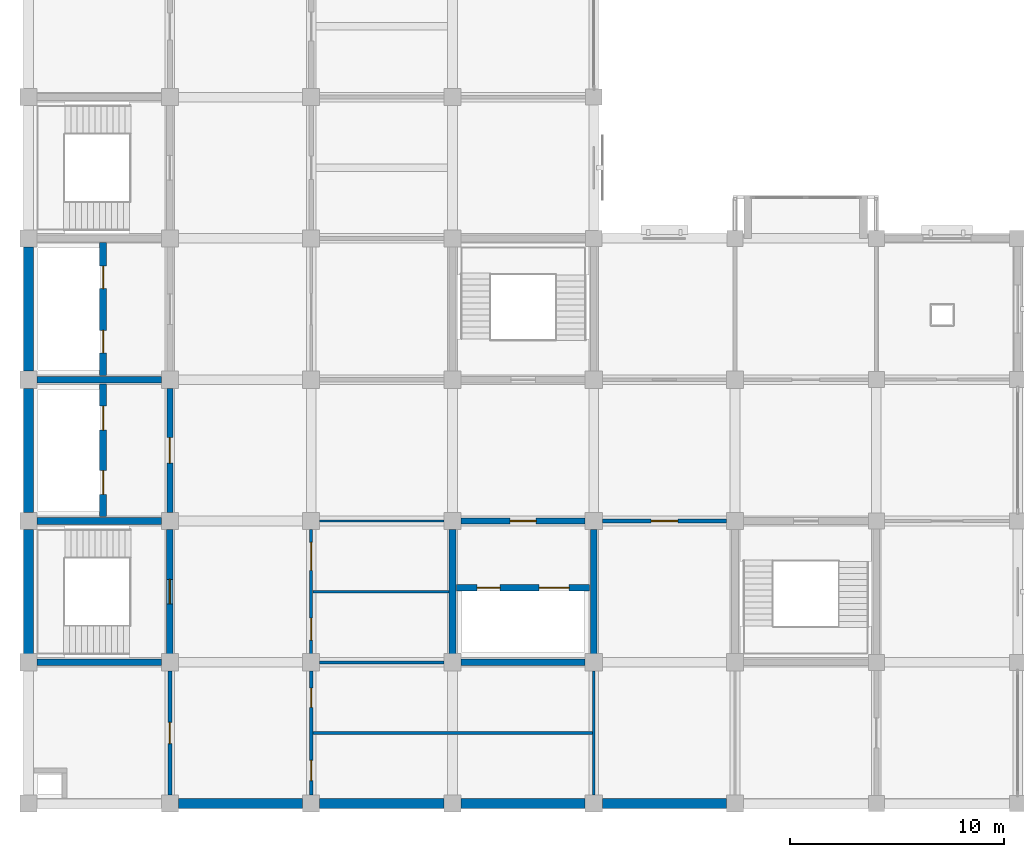
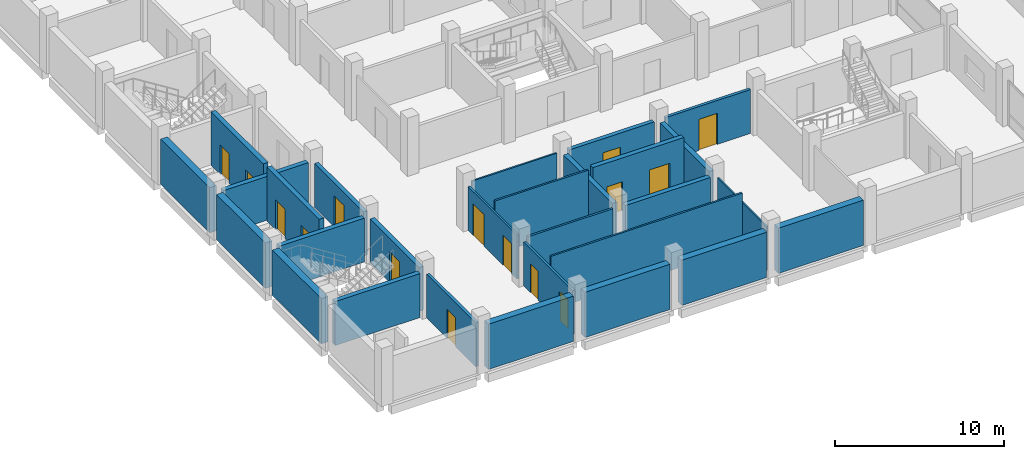
# One storey, part 8 of 15: 28 walls, 15 doors, 15 openings.
"""IFC4 building model written with IfcOpenShell, lengths in metres."""

import ifcopenshell
import ifcopenshell.guid

model = None  # the IFC model being written
_history = None  # IfcOwnerHistory: only IFC2X3 demands one
_inside = {}  # id of a spatial element -> (the spatial element, [elements in it])
_under = {}  # id of a project, library or spatial element -> (it, [spatial elements below it])
_declared = {}  # id of a project -> (the project, [libraries it declares])
_typed = {}  # id of a type object -> (the type object, [elements of that type])
_made_of = {}  # id of a material, layer set ... -> (it, [elements and type objects made of it])


def new_model(schema):
    """Start an empty IFC model of exactly this schema.

    Asked for "IFC4X3", IfcOpenShell would pick the latest addendum, in which some entities
    have other attributes; the version numbers below select the first issue.
    IFC2X3 requires an IfcOwnerHistory on every rooted entity: one is made here for all.
    """
    global model, _history
    if schema == "IFC4X3":
        model = ifcopenshell.file(schema_version=(4, 3, 0, 0))
    else:
        model = ifcopenshell.file(schema=schema)
    _inside.clear()
    _under.clear()
    _declared.clear()
    _typed.clear()
    _made_of.clear()
    _history = None
    if model.schema == "IFC2X3":
        org = make("IfcOrganization", Name="unknown")
        user = make(
            "IfcPersonAndOrganization",
            ThePerson=make("IfcPerson", FamilyName="unknown"),
            TheOrganization=org,
        )
        app = make(
            "IfcApplication",
            ApplicationDeveloper=org,
            Version="unknown",
            ApplicationFullName="unknown",
            ApplicationIdentifier="unknown",
        )
        _history = make(
            "IfcOwnerHistory",
            OwningUser=user,
            OwningApplication=app,
            ChangeAction="ADDED",
            CreationDate=0,
        )
    return model


def make(cls, **values):
    """One entity of the class cls with the attributes given. An attribute that is None is left unset."""
    return model.create_entity(
        cls, **{name: value for name, value in values.items() if value is not None}
    )


def rooted(cls, **values):
    """An entity with a GlobalId (a new one), such as an element, a storey or a relation."""
    return make(cls, GlobalId=ifcopenshell.guid.new(), OwnerHistory=_history, **values)


def si_unit(unit_type, name, prefix=None):
    """IfcSIUnit, for example si_unit("LENGTHUNIT", "METRE", prefix="MILLI")."""
    return make("IfcSIUnit", UnitType=unit_type, Prefix=prefix, Name=name)


def assignment(units):
    """IfcUnitAssignment: the units of a project."""
    return None if units is None else make("IfcUnitAssignment", Units=units)


def point(xyz):
    """IfcCartesianPoint."""
    return None if xyz is None else make("IfcCartesianPoint", Coordinates=xyz)


def direction(xyz):
    """IfcDirection."""
    return None if xyz is None else make("IfcDirection", DirectionRatios=xyz)


def frame(location, z_axis=None, x_axis=None):
    """IfcAxis2Placement3D, a coordinate frame: its origin and axes. An axis left out is left unset."""
    return make(
        "IfcAxis2Placement3D",
        Location=point(location),
        Axis=direction(z_axis),
        RefDirection=direction(x_axis),
    )


def frame_2d(location, x_axis=None):
    """IfcAxis2Placement2D, a coordinate frame in the plane: its origin and x axis."""
    return make(
        "IfcAxis2Placement2D", Location=point(location), RefDirection=direction(x_axis)
    )


def origin():
    """The frame at (0, 0, 0) with its axes left unset."""
    return frame((0.0, 0.0, 0.0))


def place(relative_to, where):
    """IfcLocalPlacement: puts the frame where relative to a parent placement (None: the world)."""
    return make(
        "IfcLocalPlacement", PlacementRelTo=relative_to, RelativePlacement=where
    )


def context(
    kind, dimensions, precision=None, world=None, true_north=None, identifier=None
):
    """IfcGeometricRepresentationContext, for example the 3D "Model" context."""
    return make(
        "IfcGeometricRepresentationContext",
        ContextIdentifier=identifier,
        ContextType=kind,
        CoordinateSpaceDimension=dimensions,
        Precision=precision,
        WorldCoordinateSystem=world,
        TrueNorth=true_north,
    )


def subcontext(parent, identifier, kind, view, scale=None):
    """IfcGeometricRepresentationSubContext, for example "Body" below "Model"."""
    return make(
        "IfcGeometricRepresentationSubContext",
        ContextIdentifier=identifier,
        ContextType=kind,
        ParentContext=parent,
        TargetScale=scale,
        TargetView=view,
    )


def project(units=None, contexts=None):
    """IfcProject with its units and contexts."""
    return rooted(
        "IfcProject",
        Name="project",
        RepresentationContexts=contexts,
        UnitsInContext=assignment(units),
    )


def spatial(cls, under=None, at=None, **own):
    """A site, building, storey or space (cls), placed at a placement, below another one or the project."""
    s = rooted(cls, ObjectPlacement=at, **own)
    if under is not None:
        _under.setdefault(under.id(), (under, []))[1].append(s)
    return s


def profile(cls, at=None, kind="AREA", **sizes):
    """A parametric profile (cls). Its sizes go by their IFC names, for example OverallWidth=200.0."""
    return make(cls, ProfileType=kind, Position=at, **sizes)


def rectangle(**sizes):
    """IfcRectangleProfileDef."""
    return profile("IfcRectangleProfileDef", **sizes)


def extrude(swept, where, along, depth):
    """IfcExtrudedAreaSolid: the profile swept, set in the frame where, extruded along a direction by depth."""
    return make(
        "IfcExtrudedAreaSolid",
        SweptArea=swept,
        Position=where,
        ExtrudedDirection=direction(along),
        Depth=depth,
    )


def shape(context_of_items, identifier, shape_type, items):
    """IfcShapeRepresentation: the items that make up one representation, for example the "Body"."""
    return make(
        "IfcShapeRepresentation",
        ContextOfItems=context_of_items,
        RepresentationIdentifier=identifier,
        RepresentationType=shape_type,
        Items=items,
    )


def material(Name=None, Category=None):
    """IfcMaterial."""
    return make("IfcMaterial", Name=Name, Category=Category)


def layer(
    of_material, thickness, ventilated=None, Name=None, Category=None, Priority=None
):
    """IfcMaterialLayer: one layer of a wall or slab, of a material (None: an air gap)."""
    return make(
        "IfcMaterialLayer",
        Material=of_material,
        LayerThickness=thickness,
        IsVentilated=ventilated,
        Name=Name,
        Category=Category,
        Priority=Priority,
    )


def layer_set(layers, Name=None):
    """IfcMaterialLayerSet."""
    return make("IfcMaterialLayerSet", MaterialLayers=layers, LayerSetName=Name)


def made_of(thing, what):
    """Note that an element or type object is made of a material, layer set ...; save() writes the relation."""
    if what is not None:
        _made_of.setdefault(what.id(), (what, []))[1].append(thing)
    return thing


def type_object(cls, material=None, **own):
    """A type object (cls), such as IfcWallType, which elements share."""
    return made_of(rooted(cls, **own), material)


def element(
    cls,
    number,
    at=None,
    inside=None,
    cuts=None,
    type_object=None,
    material=None,
    context=None,
    identifier="Body",
    shape_type=None,
    held_by="IfcProductDefinitionShape",
    body=None,
    shapes=None,
    **own,
):
    """One element of the class cls, such as IfcWall. Its Tag is "e" and its number.

    at: its placement. inside: the storey or other place that contains it. cuts: it is an
    opening in that element (IfcRelVoidsElement). A single representation is given by context,
    identifier, shape_type and body (its items); several are given by shapes. held_by: the class
    of the entity that holds the representations. save() writes the other relations.
    """
    e = rooted(cls, Tag="e%d" % number, ObjectPlacement=at, **own)
    if body is not None:
        shapes = [shape(context, identifier, shape_type, body)]
    if shapes is not None:
        e.Representation = make(held_by, Representations=shapes)
    if inside is not None:
        _inside.setdefault(inside.id(), (inside, []))[1].append(e)
    if cuts is not None:
        rooted(
            "IfcRelVoidsElement", RelatingBuildingElement=cuts, RelatedOpeningElement=e
        )
    if type_object is not None:
        _typed.setdefault(type_object.id(), (type_object, []))[1].append(e)
    return made_of(e, material)


def fill(opening, filler):
    """IfcRelFillsElement: the door or window that sits in an opening."""
    return rooted(
        "IfcRelFillsElement",
        RelatingOpeningElement=opening,
        RelatedBuildingElement=filler,
    )


def aggregate(whole, parts):
    """IfcRelAggregates: a whole, such as a stair, and the parts it consists of."""
    return rooted("IfcRelAggregates", RelatingObject=whole, RelatedObjects=parts)


def save(model, path):
    """Write the relations noted so far, then the file.

    IfcRelAggregates (storeys below a building ...), IfcRelContainedInSpatialStructure (elements
    in a storey), IfcRelDefinesByType, IfcRelAssociatesMaterial and IfcRelDeclares: one each for
    every whole, place, type object, material and project.
    """
    for whole, parts in _under.values():
        aggregate(whole, parts)
    for where, things in _inside.values():
        rooted(
            "IfcRelContainedInSpatialStructure",
            RelatedElements=things,
            RelatingStructure=where,
        )
    for kind, things in _typed.values():
        rooted("IfcRelDefinesByType", RelatedObjects=things, RelatingType=kind)
    for what, things in _made_of.values():
        rooted("IfcRelAssociatesMaterial", RelatedObjects=things, RelatingMaterial=what)
    for by, libraries in _declared.values():
        rooted("IfcRelDeclares", RelatingContext=by, RelatedDefinitions=libraries)
    model.write(path)


model = new_model("IFC4")

# Units and contexts
model_context = context("Model", 3, precision=1e-05, world=origin(), true_north=direction((0.0, 1.0)))
body_context = subcontext(model_context, "Body", "Model", "MODEL_VIEW")
ifc_project = project(units=[si_unit("LENGTHUNIT", "METRE"), si_unit("AREAUNIT", "SQUARE_METRE"), si_unit("VOLUMEUNIT", "CUBIC_METRE"), si_unit("PLANEANGLEUNIT", "RADIAN"), si_unit("MASSUNIT", "GRAM", prefix="KILO")], contexts=[model_context])

# Site, building, storey
site_placement = place(None, origin())
site = spatial("IfcSite", under=ifc_project, at=site_placement, CompositionType="ELEMENT")
building_placement = place(site_placement, origin())
building = spatial("IfcBuilding", under=site, at=building_placement, Name="Rusizi Kubbe Research Institute", CompositionType="ELEMENT")
storey_placement = place(building_placement, frame((0.0, 0.0, 27.0)))
storey = spatial("IfcBuildingStorey", under=building, at=storey_placement, Name="L06", CompositionType="ELEMENT", Elevation=27.0)

# Walls
ifc_material_1 = material(Name="Concrete C45/55", Category="concrete")
ifc_layer_1 = layer(ifc_material_1, 0.31494140625)
ifc_layer_set_1 = layer_set([ifc_layer_1], Name="Concrete C45/55")
wall_type_1 = type_object("IfcWallType", Name="CRW-02", PredefinedType="SHEAR", material=ifc_layer_set_1)
for number, where, z_axis, x_axis, name in (
    (1, (0.39990234375, 6.60009765625, 0.0), (0.0, 0.0, 1.0), (1.0, 0.0, 0.0), "Stair Core Shear Wall ST1 L06 S"),
    (2, (0.39990234375, 13.199951171875, 0.0), (0.0, 0.0, 1.0), (1.0, 0.0, 0.0), "Stair Core Shear Wall ST1 L06 N"),
):
    element("IfcWall", number, at=place(storey_placement, frame(where, z_axis=z_axis, x_axis=x_axis)), inside=storey, type_object=wall_type_1, Name=name, PredefinedType="SHEAR", context=body_context, shape_type="SweptSolid", body=[
        extrude(rectangle(XDim=5.800048828125, YDim=0.31494140625, at=frame_2d((2.89990234375, 0.0))), origin(), (0.0, 0.0, 1.0), 3.169921875),
    ])

# Wall, opening, door
wall_1_placement = place(storey_placement, frame((6.60009765625, 7.0, 0.0), z_axis=(0.0, 0.0, 1.0), x_axis=(0.0, 1.0, 0.0)))
wall_1 = element("IfcWall", 3, at=wall_1_placement, inside=storey, type_object=wall_type_1, Name="Stair Core Shear Wall ST1 L06 E", PredefinedType="SHEAR", context=body_context, shape_type="SweptSolid", body=[
    extrude(rectangle(XDim=5.800048828125, YDim=0.31494140625, at=frame_2d((2.89990234375, 0.0))), origin(), (0.0, 0.0, 1.0), 3.169921875),
])
opening_1_placement = place(wall_1_placement, frame((2.324951171875, 0.0, 0.0)))
opening_1 = element("IfcOpeningElement", 4, at=opening_1_placement, cuts=wall_1, Name="Opening D-02", PredefinedType="OPENING", context=body_context, shape_type="SweptSolid", body=[
    extrude(rectangle(XDim=1.14990234375, YDim=2.199951171875, at=frame_2d((0.574951171875, 1.10009765625))), frame((0.0, 0.16748046875, 0.0), z_axis=(0.0, -1.0, 0.0), x_axis=(1.0, 0.0, 0.0)), (0.0, 0.0, 1.0), 0.3349609375),
])
ifc_material_2 = material(Name="Fire-Rated Steel Frame and Acoustic Timber Leaf", Category="wood")
door_type_1 = type_object("IfcDoorType", Name="ID-STAIR-115", OperationType="NOTDEFINED", PredefinedType="DOOR", material=ifc_material_2)
door_1_placement = place(opening_1_placement, origin())
door_1 = element("IfcDoor", 5, at=door_1_placement, inside=storey, type_object=door_type_1, Name="Exit Stair Door ST1 L06", OperationType="SINGLE_SWING_RIGHT", OverallHeight=2.199951171875, OverallWidth=1.14990234375, PredefinedType="DOOR", context=body_context, shape_type="SweptSolid", body=[
    extrude(rectangle(XDim=1.14990234375, YDim=2.199951171875, at=frame_2d((0.574951171875, 1.10009765625))), frame((0.0, 0.02490234375, 0.0), z_axis=(0.0, -1.0, 0.0), x_axis=(1.0, 0.0, 0.0)), (0.0, 0.0, 1.0), 0.050048828125),
])
fill(opening_1, door_1)

# Walls
for number, where, z_axis, x_axis, name in (
    (6, (0.39990234375, 19.800048828125, 0.0), (0.0, 0.0, 1.0), (1.0, 0.0, 0.0), "Lift Core Divider Wall (0,2-3) L06"),
    (7, (20.199951171875, 6.60009765625, 0.0), (0.0, 0.0, 1.0), (1.0, 0.0, 0.0), "Lab Lift Core Wall S (3,1) L06"),
    (8, (19.800048828125, 7.0, 0.0), (0.0, 0.0, 1.0), (0.0, 1.0, 0.0), "Lab Lift Core Wall W (3,1) L06"),
    (9, (26.39990234375, 7.0, 0.0), (0.0, 0.0, 1.0), (0.0, 1.0, 0.0), "Lab Lift Core Wall E (3,1) L06"),
):
    element("IfcWall", number, at=place(storey_placement, frame(where, z_axis=z_axis, x_axis=x_axis)), inside=storey, type_object=wall_type_1, Name=name, PredefinedType="SHEAR", context=body_context, shape_type="SweptSolid", body=[
        extrude(rectangle(XDim=5.800048828125, YDim=0.31494140625, at=frame_2d((2.89990234375, 0.0))), origin(), (0.0, 0.0, 1.0), 3.169921875),
    ])

# Wall, openings, doors
wall_2_placement = place(storey_placement, frame((3.47998046875, 13.39990234375, 0.0), z_axis=(0.0, 0.0, 1.0), x_axis=(0.0, 1.0, 0.0)))
wall_2 = element("IfcWall", 10, at=wall_2_placement, inside=storey, type_object=wall_type_1, Name="Firefighting Lift Shaft Front Wall L06", PredefinedType="SHEAR", context=body_context, shape_type="SweptSolid", body=[
    extrude(rectangle(XDim=6.2001953125, YDim=0.31494140625, at=frame_2d((3.10009765625, 0.0))), origin(), (0.0, 0.0, 1.0), 3.8701171875),
])
opening_2_placement = place(wall_2_placement, frame((1.050048828125, 0.0, 0.0)))
opening_2 = element("IfcOpeningElement", 11, at=opening_2_placement, cuts=wall_2, Name="Opening LD-01", PredefinedType="OPENING", context=body_context, shape_type="SweptSolid", body=[
    extrude(rectangle(XDim=1.10009765625, YDim=2.14990234375, at=frame_2d((0.550048828125, 1.074951171875))), frame((0.0, 0.16748046875, 0.0), z_axis=(0.0, -1.0, 0.0), x_axis=(1.0, 0.0, 0.0)), (0.0, 0.0, 1.0), 0.3349609375),
])
opening_3_placement = place(wall_2_placement, frame((4.050048828125, 0.0, 0.0)))
opening_3 = element("IfcOpeningElement", 12, at=opening_3_placement, cuts=wall_2, Name="Opening LD-02", PredefinedType="OPENING", context=body_context, shape_type="SweptSolid", body=[
    extrude(rectangle(XDim=1.1201171875, YDim=2.14990234375, at=frame_2d((0.56005859375, 1.074951171875))), frame((0.0, 0.16748046875, 0.0), z_axis=(0.0, -1.0, 0.0), x_axis=(1.0, 0.0, 0.0)), (0.0, 0.0, 1.0), 0.3349609375),
])
ifc_material_3 = material(Name="Brushed Stainless Steel Sliding Door", Category="steel")
door_type_2 = type_object("IfcDoorType", Name="LD-01", OperationType="DOUBLE_DOOR_SLIDING", PredefinedType="USERDEFINED", material=ifc_material_3)
door_2_placement = place(opening_2_placement, origin())
door_2 = element("IfcDoor", 13, at=door_2_placement, inside=storey, type_object=door_type_2, Name="Lift Landing Sliding Door FL1 L06", ObjectType="SLIDING DOOR", OperationType="DOUBLE_DOOR_SLIDING", OverallHeight=2.14990234375, OverallWidth=1.10009765625, PredefinedType="USERDEFINED", context=body_context, shape_type="SweptSolid", body=[
    extrude(rectangle(XDim=1.10009765625, YDim=2.14990234375, at=frame_2d((0.550048828125, 1.074951171875))), frame((0.0, 0.02490234375, 0.0), z_axis=(0.0, -1.0, 0.0), x_axis=(1.0, 0.0, 0.0)), (0.0, 0.0, 1.0), 0.050048828125),
])
fill(opening_2, door_2)
ifc_material_4 = material(Name="Brushed Stainless Steel Sliding Door", Category="steel")
door_type_3 = type_object("IfcDoorType", Name="LD-02", OperationType="DOUBLE_DOOR_SLIDING", PredefinedType="USERDEFINED", material=ifc_material_4)
door_3_placement = place(opening_3_placement, origin())
door_3 = element("IfcDoor", 14, at=door_3_placement, inside=storey, type_object=door_type_3, Name="Lift Landing Sliding Door FL2 L06", ObjectType="SLIDING DOOR", OperationType="DOUBLE_DOOR_SLIDING", OverallHeight=2.14990234375, OverallWidth=1.1201171875, PredefinedType="USERDEFINED", context=body_context, shape_type="SweptSolid", body=[
    extrude(rectangle(XDim=1.1201171875, YDim=2.14990234375, at=frame_2d((0.56005859375, 1.074951171875))), frame((0.0, 0.02490234375, 0.0), z_axis=(0.0, -1.0, 0.0), x_axis=(1.0, 0.0, 0.0)), (0.0, 0.0, 1.0), 0.050048828125),
])
fill(opening_3, door_3)

wall_3_placement = place(storey_placement, frame((3.47998046875, 20.0, 0.0), z_axis=(0.0, 0.0, 1.0), x_axis=(0.0, 1.0, 0.0)))
wall_3 = element("IfcWall", 15, at=wall_3_placement, inside=storey, type_object=wall_type_1, Name="Passenger Lift Shaft Front Wall L06", PredefinedType="SHEAR", context=body_context, shape_type="SweptSolid", body=[
    extrude(rectangle(XDim=6.199951171875, YDim=0.31494140625, at=frame_2d((3.10009765625, 0.0))), origin(), (0.0, 0.0, 1.0), 3.8701171875),
])
opening_4_placement = place(wall_3_placement, frame((1.050048828125, 0.0, 0.0)))
opening_4 = element("IfcOpeningElement", 16, at=opening_4_placement, cuts=wall_3, Name="Opening LD-03", PredefinedType="OPENING", context=body_context, shape_type="SweptSolid", body=[
    extrude(rectangle(XDim=1.050048828125, YDim=2.14990234375, at=frame_2d((0.52490234375, 1.074951171875))), frame((0.0, 0.16748046875, 0.0), z_axis=(0.0, -1.0, 0.0), x_axis=(1.0, 0.0, 0.0)), (0.0, 0.0, 1.0), 0.3349609375),
])
opening_5_placement = place(wall_3_placement, frame((4.050048828125, 0.0, 0.0)))
opening_5 = element("IfcOpeningElement", 17, at=opening_5_placement, cuts=wall_3, Name="Opening LD-04", PredefinedType="OPENING", context=body_context, shape_type="SweptSolid", body=[
    extrude(rectangle(XDim=1.06005859375, YDim=2.14990234375, at=frame_2d((0.530029296875, 1.074951171875))), frame((0.0, 0.16748046875, 0.0), z_axis=(0.0, -1.0, 0.0), x_axis=(1.0, 0.0, 0.0)), (0.0, 0.0, 1.0), 0.3349609375),
])
ifc_material_5 = material(Name="Brushed Stainless Steel Sliding Door", Category="steel")
door_type_4 = type_object("IfcDoorType", Name="LD-03", OperationType="DOUBLE_DOOR_SLIDING", PredefinedType="USERDEFINED", material=ifc_material_5)
door_4_placement = place(opening_4_placement, origin())
door_4 = element("IfcDoor", 18, at=door_4_placement, inside=storey, type_object=door_type_4, Name="Lift Landing Sliding Door LP1 L06", ObjectType="SLIDING DOOR", OperationType="DOUBLE_DOOR_SLIDING", OverallHeight=2.14990234375, OverallWidth=1.050048828125, PredefinedType="USERDEFINED", context=body_context, shape_type="SweptSolid", body=[
    extrude(rectangle(XDim=1.050048828125, YDim=2.14990234375, at=frame_2d((0.52490234375, 1.074951171875))), frame((0.0, 0.02490234375, 0.0), z_axis=(0.0, -1.0, 0.0), x_axis=(1.0, 0.0, 0.0)), (0.0, 0.0, 1.0), 0.050048828125),
])
fill(opening_4, door_4)
ifc_material_6 = material(Name="Brushed Stainless Steel Sliding Door", Category="steel")
door_type_5 = type_object("IfcDoorType", Name="LD-04", OperationType="DOUBLE_DOOR_SLIDING", PredefinedType="USERDEFINED", material=ifc_material_6)
door_5_placement = place(opening_5_placement, origin())
door_5 = element("IfcDoor", 19, at=door_5_placement, inside=storey, type_object=door_type_5, Name="Lift Landing Sliding Door LP2 L06", ObjectType="SLIDING DOOR", OperationType="DOUBLE_DOOR_SLIDING", OverallHeight=2.14990234375, OverallWidth=1.06005859375, PredefinedType="USERDEFINED", context=body_context, shape_type="SweptSolid", body=[
    extrude(rectangle(XDim=1.06005859375, YDim=2.14990234375, at=frame_2d((0.530029296875, 1.074951171875))), frame((0.0, 0.02490234375, 0.0), z_axis=(0.0, -1.0, 0.0), x_axis=(1.0, 0.0, 0.0)), (0.0, 0.0, 1.0), 0.050048828125),
])
fill(opening_5, door_5)

wall_4_placement = place(storey_placement, frame((20.0, 10.080078125, 0.0), z_axis=(0.0, 0.0, 1.0), x_axis=(1.0, 0.0, 0.0)))
wall_4 = element("IfcWall", 20, at=wall_4_placement, inside=storey, type_object=wall_type_1, Name="Goods Lift Shaft Front Wall L06", PredefinedType="SHEAR", context=body_context, shape_type="SweptSolid", body=[
    extrude(rectangle(XDim=6.199951171875, YDim=0.31494140625, at=frame_2d((3.10009765625, 0.0))), origin(), (0.0, 0.0, 1.0), 3.8701171875),
])
opening_6_placement = place(wall_4_placement, frame((0.949951171875, 0.0, 0.0)))
opening_6 = element("IfcOpeningElement", 21, at=opening_6_placement, cuts=wall_4, Name="Opening LD-05", PredefinedType="OPENING", context=body_context, shape_type="SweptSolid", body=[
    extrude(rectangle(XDim=1.080078125, YDim=2.14990234375, at=frame_2d((0.5400390625, 1.074951171875))), frame((0.0, 0.16748046875, 0.0), z_axis=(0.0, -1.0, 0.0), x_axis=(1.0, 0.0, 0.0)), (0.0, 0.0, 1.0), 0.3349609375),
])
opening_7_placement = place(wall_4_placement, frame((3.85009765625, 0.0, 0.0)))
opening_7 = element("IfcOpeningElement", 22, at=opening_7_placement, cuts=wall_4, Name="Opening LD-06", PredefinedType="OPENING", context=body_context, shape_type="SweptSolid", body=[
    extrude(rectangle(XDim=1.39990234375, YDim=2.35009765625, at=frame_2d((0.699951171875, 1.175048828125))), frame((0.0, 0.16748046875, 0.0), z_axis=(0.0, -1.0, 0.0), x_axis=(1.0, 0.0, 0.0)), (0.0, 0.0, 1.0), 0.3349609375),
])
ifc_material_7 = material(Name="Brushed Stainless Steel Sliding Door", Category="steel")
door_type_6 = type_object("IfcDoorType", Name="LD-05", OperationType="DOUBLE_DOOR_SLIDING", PredefinedType="USERDEFINED", material=ifc_material_7)
door_6_placement = place(opening_6_placement, origin())
door_6 = element("IfcDoor", 23, at=door_6_placement, inside=storey, type_object=door_type_6, Name="Lift Landing Sliding Door LP3 L06", ObjectType="SLIDING DOOR", OperationType="DOUBLE_DOOR_SLIDING", OverallHeight=2.14990234375, OverallWidth=1.080078125, PredefinedType="USERDEFINED", context=body_context, shape_type="SweptSolid", body=[
    extrude(rectangle(XDim=1.080078125, YDim=2.14990234375, at=frame_2d((0.5400390625, 1.074951171875))), frame((0.0, 0.02490234375, 0.0), z_axis=(0.0, -1.0, 0.0), x_axis=(1.0, 0.0, 0.0)), (0.0, 0.0, 1.0), 0.050048828125),
])
fill(opening_6, door_6)
ifc_material_8 = material(Name="Brushed Stainless Steel Sliding Door", Category="steel")
door_type_7 = type_object("IfcDoorType", Name="LD-06", OperationType="DOUBLE_DOOR_SLIDING", PredefinedType="USERDEFINED", material=ifc_material_8)
door_7_placement = place(opening_7_placement, origin())
door_7 = element("IfcDoor", 24, at=door_7_placement, inside=storey, type_object=door_type_7, Name="Lift Landing Sliding Door LG1 L06", ObjectType="SLIDING DOOR", OperationType="DOUBLE_DOOR_SLIDING", OverallHeight=2.35009765625, OverallWidth=1.39990234375, PredefinedType="USERDEFINED", context=body_context, shape_type="SweptSolid", body=[
    extrude(rectangle(XDim=1.39990234375, YDim=2.35009765625, at=frame_2d((0.699951171875, 1.175048828125))), frame((0.0, 0.02490234375, 0.0), z_axis=(0.0, -1.0, 0.0), x_axis=(1.0, 0.0, 0.0)), (0.0, 0.0, 1.0), 0.050048828125),
])
fill(opening_7, door_7)

# Wall, opening, door
ifc_material_9 = material(Name="Insulated Cleanroom Partition", Category="masonry")
ifc_layer_2 = layer(ifc_material_9, 0.195068359375)
ifc_layer_set_2 = layer_set([ifc_layer_2], Name="Insulated Cleanroom Partition")
wall_type_2 = type_object("IfcWallType", Name="IW-02", PredefinedType="PARTITIONING", material=ifc_layer_set_2)
wall_5_placement = place(storey_placement, frame((6.60009765625, 0.39990234375, 0.0), z_axis=(0.0, 0.0, 1.0), x_axis=(0.0, 1.0, 0.0)))
wall_5 = element("IfcWall", 25, at=wall_5_placement, inside=storey, type_object=wall_type_2, Name="Interior Partition Wall L06 V1-0", PredefinedType="PARTITIONING", context=body_context, shape_type="SweptSolid", body=[
    extrude(rectangle(XDim=5.800048828125, YDim=0.195068359375, at=frame_2d((2.89990234375, 0.0))), origin(), (0.0, 0.0, 1.0), 3.169921875),
])
opening_8_placement = place(wall_5_placement, frame((2.39990234375, 0.0, 0.0)))
opening_8 = element("IfcOpeningElement", 26, at=opening_8_placement, cuts=wall_5, Name="Opening D-04", PredefinedType="OPENING", context=body_context, shape_type="SweptSolid", body=[
    extrude(rectangle(XDim=1.0, YDim=2.10009765625, at=frame_2d((0.5, 1.050048828125))), frame((0.0, 0.107421875, 0.0), z_axis=(0.0, -1.0, 0.0), x_axis=(1.0, 0.0, 0.0)), (0.0, 0.0, 1.0), 0.215087890625),
])
ifc_material_10 = material(Name="Fire-Rated Steel Frame and Acoustic Timber Leaf", Category="wood")
door_type_8 = type_object("IfcDoorType", Name="ID-MEP-100", OperationType="NOTDEFINED", PredefinedType="DOOR", material=ifc_material_10)
door_8_placement = place(opening_8_placement, origin())
door_8 = element("IfcDoor", 27, at=door_8_placement, inside=storey, type_object=door_type_8, Name="Door to Service Spine Utility Riser Room (L06-MEP-01)", OperationType="SINGLE_SWING_RIGHT", OverallHeight=2.10009765625, OverallWidth=1.0, PredefinedType="DOOR", context=body_context, shape_type="SweptSolid", body=[
    extrude(rectangle(XDim=1.0, YDim=2.10009765625, at=frame_2d((0.5, 1.050048828125))), frame((0.0, 0.02490234375, 0.0), z_axis=(0.0, -1.0, 0.0), x_axis=(1.0, 0.0, 0.0)), (0.0, 0.0, 1.0), 0.050048828125),
])
fill(opening_8, door_8)

wall_6_placement = place(storey_placement, frame((26.800048828125, 13.199951171875, 0.0), z_axis=(0.0, 0.0, 1.0), x_axis=(1.0, 0.0, 0.0)))
wall_6 = element("IfcWall", 28, at=wall_6_placement, inside=storey, type_object=wall_type_2, Name="Interior Partition Wall L06 H4-2", PredefinedType="PARTITIONING", context=body_context, shape_type="SweptSolid", body=[
    extrude(rectangle(XDim=5.800048828125, YDim=0.195068359375, at=frame_2d((2.89990234375, 0.0))), origin(), (0.0, 0.0, 1.0), 3.169921875),
])
opening_9_placement = place(wall_6_placement, frame((2.27490234375, 0.0, 0.0)))
opening_9 = element("IfcOpeningElement", 29, at=opening_9_placement, cuts=wall_6, Name="Opening D-15", PredefinedType="OPENING", context=body_context, shape_type="SweptSolid", body=[
    extrude(rectangle(XDim=1.25, YDim=2.25, at=frame_2d((0.625, 1.125))), frame((0.0, 0.107421875, 0.0), z_axis=(0.0, -1.0, 0.0), x_axis=(1.0, 0.0, 0.0)), (0.0, 0.0, 1.0), 0.215087890625),
])
ifc_material_11 = material(Name="Fire-Rated Steel Frame and Acoustic Timber Leaf", Category="wood")
door_type_9 = type_object("IfcDoorType", Name="ID-LAB-125", OperationType="NOTDEFINED", PredefinedType="DOOR", material=ifc_material_11)
door_9_placement = place(opening_9_placement, origin())
door_9 = element("IfcDoor", 30, at=door_9_placement, inside=storey, type_object=door_type_9, Name="Door to Catalysis Wet Laboratory (L06-EWS-01)", OperationType="SINGLE_SWING_LEFT", OverallHeight=2.25, OverallWidth=1.25, PredefinedType="DOOR", context=body_context, shape_type="SweptSolid", body=[
    extrude(rectangle(XDim=1.25, YDim=2.25, at=frame_2d((0.625, 1.125))), frame((0.0, 0.02490234375, 0.0), z_axis=(0.0, -1.0, 0.0), x_axis=(1.0, 0.0, 0.0)), (0.0, 0.0, 1.0), 0.050048828125),
])
fill(opening_9, door_9)

# Wall, openings, doors
ifc_material_12 = material(Name="Fire-Rated Corridor Partition", Category="masonry")
ifc_layer_3 = layer(ifc_material_12, 0.155029296875)
ifc_layer_set_3 = layer_set([ifc_layer_3], Name="Fire-Rated Corridor Partition")
wall_type_3 = type_object("IfcWallType", Name="IW-04", PredefinedType="PARTITIONING", material=ifc_layer_set_3)
wall_7_placement = place(storey_placement, frame((13.199951171875, 0.39990234375, 0.0), z_axis=(0.0, 0.0, 1.0), x_axis=(0.0, 1.0, 0.0)))
wall_7 = element("IfcWall", 31, at=wall_7_placement, inside=storey, type_object=wall_type_3, Name="Sanitary Core West Corridor Wall L06", PredefinedType="PARTITIONING", context=body_context, shape_type="SweptSolid", body=[
    extrude(rectangle(XDim=5.800048828125, YDim=0.155029296875, at=frame_2d((2.89990234375, 0.0))), origin(), (0.0, 0.0, 1.0), 3.169921875),
])
opening_10_placement = place(wall_7_placement, frame((0.675048828125, 0.0, 0.0)))
opening_10 = element("IfcOpeningElement", 32, at=opening_10_placement, cuts=wall_7, Name="Opening D-06", PredefinedType="OPENING", context=body_context, shape_type="SweptSolid", body=[
    extrude(rectangle(XDim=0.949951171875, YDim=2.10009765625, at=frame_2d((0.47509765625, 1.050048828125))), frame((0.0, 0.08740234375, 0.0), z_axis=(0.0, -1.0, 0.0), x_axis=(1.0, 0.0, 0.0)), (0.0, 0.0, 1.0), 0.175048828125),
])
opening_11_placement = place(wall_7_placement, frame((4.10009765625, 0.0, 0.0)))
opening_11 = element("IfcOpeningElement", 33, at=opening_11_placement, cuts=wall_7, Name="Opening D-05", PredefinedType="OPENING", context=body_context, shape_type="SweptSolid", body=[
    extrude(rectangle(XDim=0.89990234375, YDim=2.10009765625, at=frame_2d((0.449951171875, 1.050048828125))), frame((0.0, 0.08740234375, 0.0), z_axis=(0.0, -1.0, 0.0), x_axis=(1.0, 0.0, 0.0)), (0.0, 0.0, 1.0), 0.175048828125),
])
ifc_material_13 = material(Name="Fire-Rated Steel Frame and Acoustic Timber Leaf", Category="wood")
door_type_10 = type_object("IfcDoorType", Name="ID-WC-900", OperationType="NOTDEFINED", PredefinedType="DOOR", material=ifc_material_13)
door_10_placement = place(opening_11_placement, origin())
door_10 = element("IfcDoor", 34, at=door_10_placement, inside=storey, type_object=door_type_10, Name="Door to Female Toilet Room (L06-WC-F)", OperationType="SINGLE_SWING_LEFT", OverallHeight=2.10009765625, OverallWidth=0.89990234375, PredefinedType="DOOR", context=body_context, shape_type="SweptSolid", body=[
    extrude(rectangle(XDim=0.89990234375, YDim=2.10009765625, at=frame_2d((0.449951171875, 1.050048828125))), frame((0.0, 0.02490234375, 0.0), z_axis=(0.0, -1.0, 0.0), x_axis=(1.0, 0.0, 0.0)), (0.0, 0.0, 1.0), 0.050048828125),
])
fill(opening_11, door_10)
ifc_material_14 = material(Name="Fire-Rated Steel Frame and Acoustic Timber Leaf", Category="wood")
door_type_11 = type_object("IfcDoorType", Name="ID-WC-950", OperationType="NOTDEFINED", PredefinedType="DOOR", material=ifc_material_14)
door_11_placement = place(opening_10_placement, origin())
door_11 = element("IfcDoor", 35, at=door_11_placement, inside=storey, type_object=door_type_11, Name="Door to Male Toilet Room (L06-WC-M)", OperationType="SINGLE_SWING_RIGHT", OverallHeight=2.10009765625, OverallWidth=0.949951171875, PredefinedType="DOOR", context=body_context, shape_type="SweptSolid", body=[
    extrude(rectangle(XDim=0.949951171875, YDim=2.10009765625, at=frame_2d((0.47509765625, 1.050048828125))), frame((0.0, 0.02490234375, 0.0), z_axis=(0.0, -1.0, 0.0), x_axis=(1.0, 0.0, 0.0)), (0.0, 0.0, 1.0), 0.050048828125),
])
fill(opening_10, door_11)

# Wall
ifc_material_15 = material(Name="Write-up Glazed Acoustic Partition", Category="masonry")
ifc_layer_4 = layer(ifc_material_15, 0.139892578125)
ifc_layer_set_4 = layer_set([ifc_layer_4], Name="Write-up Glazed Acoustic Partition")
wall_type_4 = type_object("IfcWallType", Name="IW-05", PredefinedType="PARTITIONING", material=ifc_layer_set_4)
wall_8_placement = place(storey_placement, frame((13.60009765625, 6.60009765625, 0.0), z_axis=(0.0, 0.0, 1.0), x_axis=(1.0, 0.0, 0.0)))
element("IfcWall", 36, at=wall_8_placement, inside=storey, type_object=wall_type_4, Name="Sanitary Core North Divider Wall L06", PredefinedType="PARTITIONING", context=body_context, shape_type="SweptSolid", body=[
    extrude(rectangle(XDim=5.7998046875, YDim=0.139892578125, at=frame_2d((2.89990234375, 0.0))), origin(), (0.0, 0.0, 1.0), 3.169921875),
])

# Wall, openings, doors
wall_9_placement = place(storey_placement, frame((13.199951171875, 7.0, 0.0), z_axis=(0.0, 0.0, 1.0), x_axis=(0.0, 1.0, 0.0)))
wall_9 = element("IfcWall", 37, at=wall_9_placement, inside=storey, type_object=wall_type_4, Name="Accessible WC and Store West Wall L06", PredefinedType="PARTITIONING", context=body_context, shape_type="SweptSolid", body=[
    extrude(rectangle(XDim=5.800048828125, YDim=0.139892578125, at=frame_2d((2.89990234375, 0.0))), origin(), (0.0, 0.0, 1.0), 3.169921875),
])
opening_12_placement = place(wall_9_placement, frame((0.639892578125, 0.0, 0.0)))
opening_12 = element("IfcOpeningElement", 38, at=opening_12_placement, cuts=wall_9, Name="Opening D-07", PredefinedType="OPENING", context=body_context, shape_type="SweptSolid", body=[
    extrude(rectangle(XDim=1.02001953125, YDim=2.14990234375, at=frame_2d((0.510009765625, 1.074951171875))), frame((0.0, 0.079833984375, 0.0), z_axis=(0.0, -1.0, 0.0), x_axis=(1.0, 0.0, 0.0)), (0.0, 0.0, 1.0), 0.159912109375),
])
opening_13_placement = place(wall_9_placement, frame((3.89990234375, 0.0, 0.0)))
opening_13 = element("IfcOpeningElement", 39, at=opening_13_placement, cuts=wall_9, Name="Opening D-14", PredefinedType="OPENING", context=body_context, shape_type="SweptSolid", body=[
    extrude(rectangle(XDim=1.300048828125, YDim=2.300048828125, at=frame_2d((0.64990234375, 1.14990234375))), frame((0.0, 0.079833984375, 0.0), z_axis=(0.0, -1.0, 0.0), x_axis=(1.0, 0.0, 0.0)), (0.0, 0.0, 1.0), 0.159912109375),
])
ifc_material_16 = material(Name="Fire-Rated Steel Frame and Acoustic Timber Leaf", Category="wood")
door_type_12 = type_object("IfcDoorType", Name="ID-LAB-130", OperationType="NOTDEFINED", PredefinedType="DOOR", material=ifc_material_16)
door_12_placement = place(opening_13_placement, origin())
door_12 = element("IfcDoor", 40, at=door_12_placement, inside=storey, type_object=door_type_12, Name="Door to Laboratory Reagent Store (L06-STR-01)", OperationType="SINGLE_SWING_RIGHT", OverallHeight=2.300048828125, OverallWidth=1.300048828125, PredefinedType="DOOR", context=body_context, shape_type="SweptSolid", body=[
    extrude(rectangle(XDim=1.300048828125, YDim=2.300048828125, at=frame_2d((0.64990234375, 1.14990234375))), frame((0.0, 0.02490234375, 0.0), z_axis=(0.0, -1.0, 0.0), x_axis=(1.0, 0.0, 0.0)), (0.0, 0.0, 1.0), 0.050048828125),
])
fill(opening_13, door_12)
ifc_material_17 = material(Name="Fire-Rated Steel Frame and Acoustic Timber Leaf", Category="wood")
door_type_13 = type_object("IfcDoorType", Name="ID-WC-ACC", OperationType="NOTDEFINED", PredefinedType="DOOR", material=ifc_material_17)
door_13_placement = place(opening_12_placement, origin())
door_13 = element("IfcDoor", 41, at=door_13_placement, inside=storey, type_object=door_type_13, Name="Door to Accessible Toilet Room (L06-WC-ACC)", OperationType="SINGLE_SWING_LEFT", OverallHeight=2.14990234375, OverallWidth=1.02001953125, PredefinedType="DOOR", context=body_context, shape_type="SweptSolid", body=[
    extrude(rectangle(XDim=1.02001953125, YDim=2.14990234375, at=frame_2d((0.510009765625, 1.074951171875))), frame((0.0, 0.02490234375, 0.0), z_axis=(0.0, -1.0, 0.0), x_axis=(1.0, 0.0, 0.0)), (0.0, 0.0, 1.0), 0.050048828125),
])
fill(opening_12, door_13)

# Walls
ifc_material_18 = material(Name="Sanitary Wet-Wall Partition", Category="masonry")
ifc_layer_5 = layer(ifc_material_18, 0.125)
ifc_layer_set_5 = layer_set([ifc_layer_5], Name="Sanitary Wet-Wall Partition")
wall_type_5 = type_object("IfcWallType", Name="IW-06", PredefinedType="PARTITIONING", material=ifc_layer_set_5)
wall_10_placement = place(storey_placement, frame((13.282470703125, 3.300048828125, 0.0), z_axis=(0.0, 0.0, 1.0), x_axis=(1.0, 0.0, 0.0)))
element("IfcWall", 42, at=wall_10_placement, inside=storey, type_object=wall_type_5, Name="Sanitary Divider Wall L06-1", PredefinedType="PARTITIONING", context=body_context, shape_type="SweptSolid", body=[
    extrude(rectangle(XDim=13.0576171875, YDim=0.125, at=frame_2d((6.52880859375, 0.0))), origin(), (0.0, 0.0, 1.0), 3.8701171875),
])
wall_11_placement = place(storey_placement, frame((13.27490234375, 9.89990234375, 0.0), z_axis=(0.0, 0.0, 1.0), x_axis=(1.0, 0.0, 0.0)))
element("IfcWall", 43, at=wall_11_placement, inside=storey, type_object=wall_type_5, Name="Sanitary Divider Wall L06-2", PredefinedType="PARTITIONING", context=body_context, shape_type="SweptSolid", body=[
    extrude(rectangle(XDim=6.362548828125, YDim=0.125, at=frame_2d((3.18115234375, 0.0))), origin(), (0.0, 0.0, 1.0), 3.8701171875),
])
ifc_material_19 = material(Name="Sub-Suite Fire Partition", Category="masonry")
ifc_layer_6 = layer(ifc_material_19, 0.110107421875)
ifc_layer_set_6 = layer_set([ifc_layer_6], Name="Sub-Suite Fire Partition")
wall_type_6 = type_object("IfcWallType", Name="IW-07", PredefinedType="PARTITIONING", material=ifc_layer_set_6)
wall_12_placement = place(storey_placement, frame((26.39990234375, 0.39990234375, 0.0), z_axis=(0.0, 0.0, 1.0), x_axis=(0.0, 1.0, 0.0)))
element("IfcWall", 44, at=wall_12_placement, inside=storey, type_object=wall_type_6, Name="Sanitary Core East Enclosing Wall L06", PredefinedType="PARTITIONING", context=body_context, shape_type="SweptSolid", body=[
    extrude(rectangle(XDim=5.800048828125, YDim=0.110107421875, at=frame_2d((2.89990234375, 0.0))), origin(), (0.0, 0.0, 1.0), 3.169921875),
])
wall_13_placement = place(storey_placement, frame((13.60009765625, 13.199951171875, 0.0), z_axis=(0.0, 0.0, 1.0), x_axis=(1.0, 0.0, 0.0)))
element("IfcWall", 45, at=wall_13_placement, inside=storey, type_object=wall_type_6, Name="Reagent Store North Corridor Wall L06", PredefinedType="PARTITIONING", context=body_context, shape_type="SweptSolid", body=[
    extrude(rectangle(XDim=5.7998046875, YDim=0.110107421875, at=frame_2d((2.89990234375, 0.0))), origin(), (0.0, 0.0, 1.0), 3.169921875),
])
ifc_material_20 = material(Name="Concrete C40/50", Category="concrete")
ifc_layer_7 = layer(ifc_material_20, 0.4599609375)
ifc_layer_set_7 = layer_set([ifc_layer_7], Name="Concrete C40/50")
wall_type_7 = type_object("IfcWallType", Name="PW-02", PredefinedType="SOLIDWALL", material=ifc_layer_set_7)
wall_14_placement = place(storey_placement, frame((0.0, 7.0, 0.0), z_axis=(0.0, 0.0, 1.0), x_axis=(0.0, 1.0, 0.0)))
element("IfcWall", 46, at=wall_14_placement, inside=storey, type_object=wall_type_7, Name="Blind Party Wall L06 V0-1", PredefinedType="SOLIDWALL", context=body_context, shape_type="SweptSolid", body=[
    extrude(rectangle(XDim=5.800048828125, YDim=0.4599609375, at=frame_2d((2.89990234375, 0.0))), origin(), (0.0, 0.0, 1.0), 3.27001953125),
])
wall_15_placement = place(storey_placement, frame((0.0, 13.60009765625, 0.0), z_axis=(0.0, 0.0, 1.0), x_axis=(0.0, 1.0, 0.0)))
element("IfcWall", 47, at=wall_15_placement, inside=storey, type_object=wall_type_7, Name="Blind Party Wall L06 V0-2", PredefinedType="SOLIDWALL", context=body_context, shape_type="SweptSolid", body=[
    extrude(rectangle(XDim=5.7998046875, YDim=0.4599609375, at=frame_2d((2.89990234375, 0.0))), origin(), (0.0, 0.0, 1.0), 3.27001953125),
])
for number, where, z_axis, x_axis, name in (
    (48, (0.0, 20.199951171875, 0.0), (0.0, 0.0, 1.0), (0.0, 1.0, 0.0), "Blind Party Wall L06 V0-3"),
    (49, (7.0, 0.0, 0.0), (0.0, 0.0, 1.0), (1.0, 0.0, 0.0), "Blind Party Wall L06 H1-0"),
):
    element("IfcWall", number, at=place(storey_placement, frame(where, z_axis=z_axis, x_axis=x_axis)), inside=storey, type_object=wall_type_7, Name=name, PredefinedType="SOLIDWALL", context=body_context, shape_type="SweptSolid", body=[
        extrude(rectangle(XDim=5.800048828125, YDim=0.4599609375, at=frame_2d((2.89990234375, 0.0))), origin(), (0.0, 0.0, 1.0), 3.27001953125),
    ])
wall_16_placement = place(storey_placement, frame((13.60009765625, 0.0, 0.0), z_axis=(0.0, 0.0, 1.0), x_axis=(1.0, 0.0, 0.0)))
element("IfcWall", 50, at=wall_16_placement, inside=storey, type_object=wall_type_7, Name="Blind Party Wall L06 H2-0", PredefinedType="SOLIDWALL", context=body_context, shape_type="SweptSolid", body=[
    extrude(rectangle(XDim=5.7998046875, YDim=0.4599609375, at=frame_2d((2.89990234375, 0.0))), origin(), (0.0, 0.0, 1.0), 3.27001953125),
])
for number, where, z_axis, x_axis, name in (
    (51, (20.199951171875, 0.0, 0.0), (0.0, 0.0, 1.0), (1.0, 0.0, 0.0), "Blind Party Wall L06 H3-0"),
    (52, (26.800048828125, 0.0, 0.0), (0.0, 0.0, 1.0), (1.0, 0.0, 0.0), "Blind Party Wall L06 H4-0"),
):
    element("IfcWall", number, at=place(storey_placement, frame(where, z_axis=z_axis, x_axis=x_axis)), inside=storey, type_object=wall_type_7, Name=name, PredefinedType="SOLIDWALL", context=body_context, shape_type="SweptSolid", body=[
        extrude(rectangle(XDim=5.800048828125, YDim=0.4599609375, at=frame_2d((2.89990234375, 0.0))), origin(), (0.0, 0.0, 1.0), 3.27001953125),
    ])

# Wall, opening, door
ifc_material_21 = material(Name="Concrete C40/50", Category="concrete")
ifc_layer_8 = layer(ifc_material_21, 0.27490234375)
ifc_layer_set_8 = layer_set([ifc_layer_8], Name="Concrete C40/50")
wall_type_8 = type_object("IfcWallType", Name="SHW-01", PredefinedType="SHEAR", material=ifc_layer_set_8)
wall_17_placement = place(storey_placement, frame((6.60009765625, 13.60009765625, 0.0), z_axis=(0.0, 0.0, 1.0), x_axis=(0.0, 1.0, 0.0)))
wall_17 = element("IfcWall", 53, at=wall_17_placement, inside=storey, type_object=wall_type_8, Name="Firefighting Lobby Wall L06", PredefinedType="SHEAR", context=body_context, shape_type="SweptSolid", body=[
    extrude(rectangle(XDim=5.7998046875, YDim=0.27490234375, at=frame_2d((2.89990234375, 0.0))), origin(), (0.0, 0.0, 1.0), 3.169921875),
])
opening_14_placement = place(wall_17_placement, frame((2.300048828125, 0.0, 0.0)))
opening_14 = element("IfcOpeningElement", 54, at=opening_14_placement, cuts=wall_17, Name="Opening D-03", PredefinedType="OPENING", context=body_context, shape_type="SweptSolid", body=[
    extrude(rectangle(XDim=1.199951171875, YDim=2.25, at=frame_2d((0.60009765625, 1.125))), frame((0.0, 0.1474609375, 0.0), z_axis=(0.0, -1.0, 0.0), x_axis=(1.0, 0.0, 0.0)), (0.0, 0.0, 1.0), 0.294921875),
])
ifc_material_22 = material(Name="Fire-Rated Steel Frame and Acoustic Timber Leaf", Category="wood")
door_type_14 = type_object("IfcDoorType", Name="ID-FF-120", OperationType="NOTDEFINED", PredefinedType="DOOR", material=ifc_material_22)
door_14_placement = place(opening_14_placement, origin())
door_14 = element("IfcDoor", 55, at=door_14_placement, inside=storey, type_object=door_type_14, Name="Door to Firefighting Lift Lobby (L06-FFL-01)", OperationType="SINGLE_SWING_LEFT", OverallHeight=2.25, OverallWidth=1.199951171875, PredefinedType="DOOR", context=body_context, shape_type="SweptSolid", body=[
    extrude(rectangle(XDim=1.199951171875, YDim=2.25, at=frame_2d((0.60009765625, 1.125))), frame((0.0, 0.02490234375, 0.0), z_axis=(0.0, -1.0, 0.0), x_axis=(1.0, 0.0, 0.0)), (0.0, 0.0, 1.0), 0.050048828125),
])
fill(opening_14, door_14)

wall_18_placement = place(storey_placement, frame((20.199951171875, 13.199951171875, 0.0), z_axis=(0.0, 0.0, 1.0), x_axis=(1.0, 0.0, 0.0)))
wall_18 = element("IfcWall", 56, at=wall_18_placement, inside=storey, type_object=wall_type_8, Name="Goods Lift Lobby Wall L06", PredefinedType="SHEAR", context=body_context, shape_type="SweptSolid", body=[
    extrude(rectangle(XDim=5.800048828125, YDim=0.27490234375, at=frame_2d((2.89990234375, 0.0))), origin(), (0.0, 0.0, 1.0), 3.169921875),
])
opening_15_placement = place(wall_18_placement, frame((2.2900390625, 0.0, 0.0)))
opening_15 = element("IfcOpeningElement", 57, at=opening_15_placement, cuts=wall_18, Name="Opening D-21", PredefinedType="OPENING", context=body_context, shape_type="SweptSolid", body=[
    extrude(rectangle(XDim=1.219970703125, YDim=2.14990234375, at=frame_2d((0.60986328125, 1.074951171875))), frame((0.0, 0.1474609375, 0.0), z_axis=(0.0, -1.0, 0.0), x_axis=(1.0, 0.0, 0.0)), (0.0, 0.0, 1.0), 0.294921875),
])
ifc_material_23 = material(Name="Fire-Rated Steel Frame and Acoustic Timber Leaf", Category="wood")
door_type_15 = type_object("IfcDoorType", Name="ID-STR-122", OperationType="NOTDEFINED", PredefinedType="DOOR", material=ifc_material_23)
door_15_placement = place(opening_15_placement, origin())
door_15 = element("IfcDoor", 58, at=door_15_placement, inside=storey, type_object=door_type_15, Name="Door to Laboratory Goods Lift Lobby (L06-GLB-01)", OperationType="SINGLE_SWING_RIGHT", OverallHeight=2.14990234375, OverallWidth=1.219970703125, PredefinedType="DOOR", context=body_context, shape_type="SweptSolid", body=[
    extrude(rectangle(XDim=1.219970703125, YDim=2.14990234375, at=frame_2d((0.60986328125, 1.074951171875))), frame((0.0, 0.02490234375, 0.0), z_axis=(0.0, -1.0, 0.0), x_axis=(1.0, 0.0, 0.0)), (0.0, 0.0, 1.0), 0.050048828125),
])
fill(opening_15, door_15)

save(model, "model.ifc")
